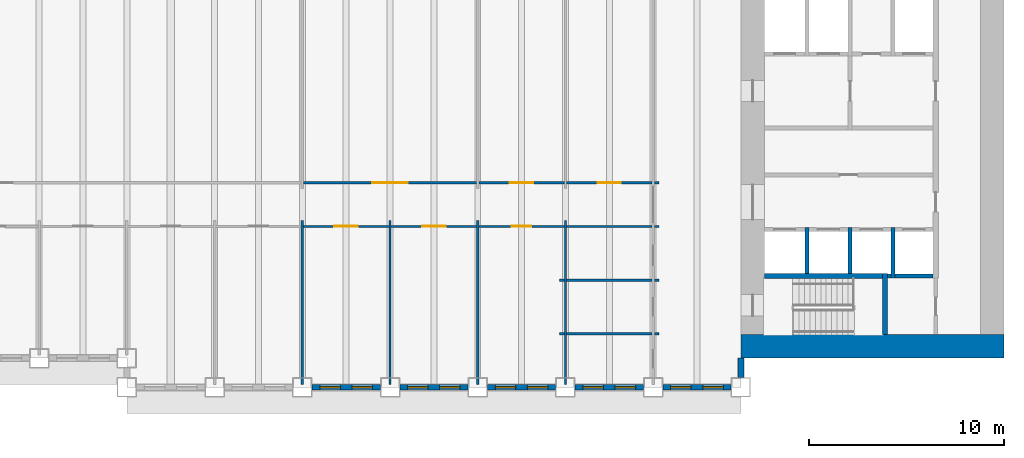
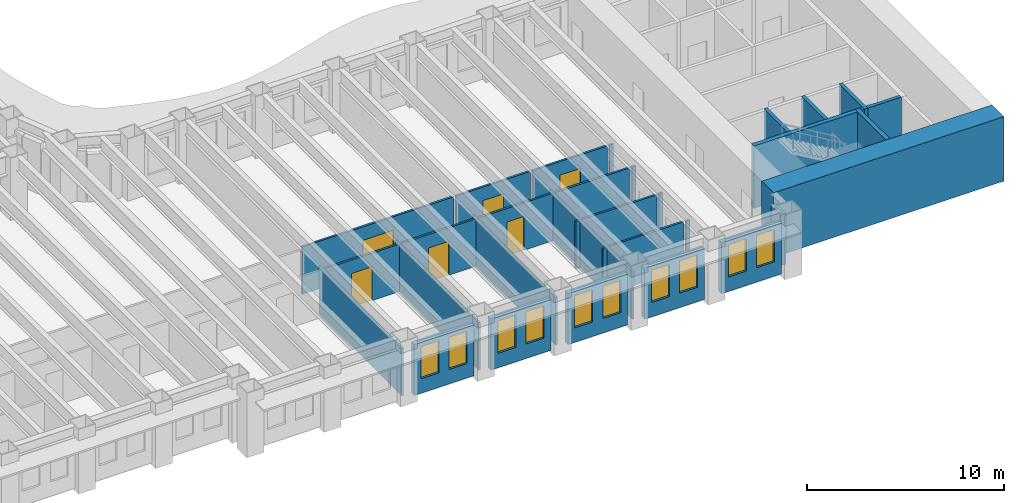
# One storey, part 5 of 16: 33 walls, 10 windows, 6 doors, 16 openings.
"""IFC4 building model written with IfcOpenShell, lengths in metres."""

from ifc_helpers import new_model, si_unit, direction, frame, frame_2d, origin, place, context, subcontext, project, spatial, rectangle, extrude, material, layer, layer_set, type_object, element, fill, save


model = new_model("IFC4")

# Units and contexts
model_context = context("Model", 3, precision=1e-05, world=origin(), true_north=direction((0.0, 1.0)))
body_context = subcontext(model_context, "Body", "Model", "MODEL_VIEW")
ifc_project = project(units=[si_unit("LENGTHUNIT", "METRE"), si_unit("AREAUNIT", "SQUARE_METRE"), si_unit("VOLUMEUNIT", "CUBIC_METRE"), si_unit("PLANEANGLEUNIT", "RADIAN"), si_unit("MASSUNIT", "GRAM", prefix="KILO")], contexts=[model_context])

# Site, building, storey
site_placement = place(None, origin())
site = spatial("IfcSite", under=ifc_project, at=site_placement, CompositionType="ELEMENT")
building_placement = place(site_placement, origin())
building = spatial("IfcBuilding", under=site, at=building_placement, Name="Sennacour Bend Tower", CompositionType="ELEMENT")
storey_placement = place(building_placement, frame((0.0, 0.0, 107.0)))
storey = spatial("IfcBuildingStorey", under=building, at=storey_placement, Name="L24", CompositionType="ELEMENT", Elevation=107.0)

# Walls
ifc_material_1 = material(Name="Concrete C80/95", Category="concrete")
ifc_layer_1 = layer(ifc_material_1, 1.199951171875, Name="Concrete C80/95", Category="concrete")
ifc_layer_set_1 = layer_set([ifc_layer_1], Name="Concrete C80/95")
wall_type_1 = type_object("IfcWallType", Name="Core wall 1200 C80/95", PredefinedType="SHEAR", material=ifc_layer_set_1)
wall_1_placement = place(storey_placement, frame((67.5, 0.60009765625, -0.14990234375), z_axis=(0.0, 0.0, 1.0), x_axis=(-1.0, 0.0, 0.0)))
element("IfcWall", 1, at=wall_1_placement, inside=storey, type_object=wall_type_1, Name="Core A wall L24 S", PredefinedType="SHEAR", context=body_context, shape_type="SweptSolid", body=[
    extrude(rectangle(XDim=13.5, YDim=1.199951171875, at=frame_2d((6.75, 0.0))), origin(), (0.0, 0.0, 1.0), 4.0),
])
ifc_material_2 = material(Name="Plasterboard partition on steel studs", Category="steel")
ifc_layer_2 = layer(ifc_material_2, 0.1201171875, Name="Plasterboard partition on steel studs", Category="steel")
ifc_layer_set_2 = layer_set([ifc_layer_2], Name="Plasterboard partition on steel studs")
wall_type_2 = type_object("IfcWallType", Name="Partition 120", PredefinedType="PARTITIONING", material=ifc_layer_set_2)
for number, where, z_axis, x_axis, name in (
    (2, (31.5, -1.35009765625, 0.0), (0.0, 0.0, 1.0), (0.0, 1.0, 0.0), "P-L24-W026a"),
    (3, (36.0, -1.35009765625, 0.0), (0.0, 0.0, 1.0), (0.0, 1.0, 0.0), "P-L24-W028a"),
    (4, (40.5, -1.35009765625, 0.0), (0.0, 0.0, 1.0), (0.0, 1.0, 0.0), "P-L24-W029a"),
    (5, (45.0, -1.35009765625, 0.0), (0.0, 0.0, 1.0), (0.0, 1.0, 0.0), "P-L24-W031a"),
):
    element("IfcWall", number, at=place(storey_placement, frame(where, z_axis=z_axis, x_axis=x_axis)), inside=storey, type_object=wall_type_2, Name=name, PredefinedType="PARTITIONING", context=body_context, shape_type="SweptSolid", body=[
        extrude(rectangle(XDim=8.400146484375, YDim=0.1201171875, at=frame_2d((4.2001953125, 0.0))), origin(), (0.0, 0.0, 1.0), 2.93798828125),
    ])
wall_2_placement = place(storey_placement, frame((44.699951171875, 1.25, 0.0), z_axis=(0.0, 0.0, 1.0), x_axis=(1.0, 0.0, 0.0)))
element("IfcWall", 6, at=wall_2_placement, inside=storey, type_object=wall_type_2, Name="P-L24-W048aa", PredefinedType="PARTITIONING", context=body_context, shape_type="SweptSolid", body=[
    extrude(rectangle(XDim=0.239990234375, YDim=0.1201171875, at=frame_2d((0.1201171875, 0.0))), origin(), (0.0, 0.0, 1.0), 2.93798828125),
])
wall_3_placement = place(storey_placement, frame((45.06005859375, 1.25, 0.0), z_axis=(0.0, 0.0, 1.0), x_axis=(1.0, 0.0, 0.0)))
element("IfcWall", 7, at=wall_3_placement, inside=storey, type_object=wall_type_2, Name="P-L24-W048ab", PredefinedType="PARTITIONING", context=body_context, shape_type="SweptSolid", body=[
    extrude(rectangle(XDim=4.3798828125, YDim=0.1201171875, at=frame_2d((2.18994140625, 0.0))), origin(), (0.0, 0.0, 1.0), 2.93798828125),
])
for number, where, z_axis, x_axis, name in (
    (8, (49.56005859375, 1.25, 0.0), (0.0, 0.0, 1.0), (1.0, 0.0, 0.0), "P-L24-W048ac"),
    (9, (44.699951171875, 4.0, 0.0), (0.0, 0.0, 1.0), (1.0, 0.0, 0.0), "P-L24-W052aa"),
):
    element("IfcWall", number, at=place(storey_placement, frame(where, z_axis=z_axis, x_axis=x_axis)), inside=storey, type_object=wall_type_2, Name=name, PredefinedType="PARTITIONING", context=body_context, shape_type="SweptSolid", body=[
        extrude(rectangle(XDim=0.239990234375, YDim=0.1201171875, at=frame_2d((0.1201171875, 0.0))), origin(), (0.0, 0.0, 1.0), 2.93798828125),
    ])
wall_4_placement = place(storey_placement, frame((45.06005859375, 4.0, 0.0), z_axis=(0.0, 0.0, 1.0), x_axis=(1.0, 0.0, 0.0)))
element("IfcWall", 10, at=wall_4_placement, inside=storey, type_object=wall_type_2, Name="P-L24-W052ab", PredefinedType="PARTITIONING", context=body_context, shape_type="SweptSolid", body=[
    extrude(rectangle(XDim=4.3798828125, YDim=0.1201171875, at=frame_2d((2.18994140625, 0.0))), origin(), (0.0, 0.0, 1.0), 2.93798828125),
])
wall_5_placement = place(storey_placement, frame((49.56005859375, 4.0, 0.0), z_axis=(0.0, 0.0, 1.0), x_axis=(1.0, 0.0, 0.0)))
element("IfcWall", 11, at=wall_5_placement, inside=storey, type_object=wall_type_2, Name="P-L24-W052ac", PredefinedType="PARTITIONING", context=body_context, shape_type="SweptSolid", body=[
    extrude(rectangle(XDim=0.239990234375, YDim=0.1201171875, at=frame_2d((0.1201171875, 0.0))), origin(), (0.0, 0.0, 1.0), 2.93798828125),
])

# Wall, opening, door
wall_6_placement = place(storey_placement, frame((31.56005859375, 6.75, 0.0), z_axis=(0.0, 0.0, 1.0), x_axis=(1.0, 0.0, 0.0)))
wall_6 = element("IfcWall", 12, at=wall_6_placement, inside=storey, type_object=wall_type_2, Name="P-L24-W056af", PredefinedType="PARTITIONING", context=body_context, shape_type="SweptSolid", body=[
    extrude(rectangle(XDim=4.3798828125, YDim=0.1201171875, at=frame_2d((2.18994140625, 0.0))), origin(), (0.0, 0.0, 1.0), 2.93798828125),
])
opening_1_placement = place(wall_6_placement, frame((1.58984375, 0.0, 0.0)))
opening_1 = element("IfcOpeningElement", 13, at=opening_1_placement, cuts=wall_6, Name="Opening OD", PredefinedType="OPENING", context=body_context, shape_type="SweptSolid", body=[
    extrude(rectangle(XDim=1.199951171875, YDim=2.10009765625, at=frame_2d((0.60009765625, 1.050048828125))), frame((0.0, 0.070068359375, 0.0), z_axis=(0.0, -1.0, 0.0), x_axis=(1.0, 0.0, 0.0)), (0.0, 0.0, 1.0), 0.14013671875),
])
ifc_material_3 = material(Name="Timber", Category="wood")
door_type_1 = type_object("IfcDoorType", Name="DR-OFFICE-1200", OperationType="NOTDEFINED", PredefinedType="DOOR", material=ifc_material_3)
door_1_placement = place(opening_1_placement, origin())
door_1 = element("IfcDoor", 14, at=door_1_placement, inside=storey, type_object=door_type_1, Name="Door", OperationType="SINGLE_SWING_LEFT", OverallHeight=2.10009765625, OverallWidth=1.199951171875, PredefinedType="DOOR", context=body_context, shape_type="SweptSolid", body=[
    extrude(rectangle(XDim=1.199951171875, YDim=2.10009765625, at=frame_2d((0.60009765625, 1.050048828125))), frame((0.0, 0.02490234375, 0.0), z_axis=(0.0, -1.0, 0.0), x_axis=(1.0, 0.0, 0.0)), (0.0, 0.0, 1.0), 0.050048828125),
])
fill(opening_1, door_1)

wall_7_placement = place(storey_placement, frame((36.06005859375, 6.75, 0.0), z_axis=(0.0, 0.0, 1.0), x_axis=(1.0, 0.0, 0.0)))
wall_7 = element("IfcWall", 15, at=wall_7_placement, inside=storey, type_object=wall_type_2, Name="P-L24-W056ag", PredefinedType="PARTITIONING", context=body_context, shape_type="SweptSolid", body=[
    extrude(rectangle(XDim=4.3798828125, YDim=0.1201171875, at=frame_2d((2.18994140625, 0.0))), origin(), (0.0, 0.0, 1.0), 2.93798828125),
])
opening_2_placement = place(wall_7_placement, frame((1.58984375, 0.0, 0.0)))
opening_2 = element("IfcOpeningElement", 16, at=opening_2_placement, cuts=wall_7, Name="Opening OD", PredefinedType="OPENING", context=body_context, shape_type="SweptSolid", body=[
    extrude(rectangle(XDim=1.199951171875, YDim=2.10009765625, at=frame_2d((0.60009765625, 1.050048828125))), frame((0.0, 0.070068359375, 0.0), z_axis=(0.0, -1.0, 0.0), x_axis=(1.0, 0.0, 0.0)), (0.0, 0.0, 1.0), 0.14013671875),
])
door_2_placement = place(opening_2_placement, origin())
door_2 = element("IfcDoor", 17, at=door_2_placement, inside=storey, type_object=door_type_1, Name="Door", OperationType="SINGLE_SWING_LEFT", OverallHeight=2.10009765625, OverallWidth=1.199951171875, PredefinedType="DOOR", context=body_context, shape_type="SweptSolid", body=[
    extrude(rectangle(XDim=1.199951171875, YDim=2.10009765625, at=frame_2d((0.60009765625, 1.050048828125))), frame((0.0, 0.02490234375, 0.0), z_axis=(0.0, -1.0, 0.0), x_axis=(1.0, 0.0, 0.0)), (0.0, 0.0, 1.0), 0.050048828125),
])
fill(opening_2, door_2)

wall_8_placement = place(storey_placement, frame((40.56005859375, 6.75, 0.0), z_axis=(0.0, 0.0, 1.0), x_axis=(1.0, 0.0, 0.0)))
wall_8 = element("IfcWall", 18, at=wall_8_placement, inside=storey, type_object=wall_type_2, Name="P-L24-W056ah", PredefinedType="PARTITIONING", context=body_context, shape_type="SweptSolid", body=[
    extrude(rectangle(XDim=4.3798828125, YDim=0.1201171875, at=frame_2d((2.18994140625, 0.0))), origin(), (0.0, 0.0, 1.0), 2.93798828125),
])
opening_3_placement = place(wall_8_placement, frame((1.68994140625, 0.0, 0.0)))
opening_3 = element("IfcOpeningElement", 19, at=opening_3_placement, cuts=wall_8, Name="Opening OD2", PredefinedType="OPENING", context=body_context, shape_type="SweptSolid", body=[
    extrude(rectangle(XDim=1.0, YDim=2.10009765625, at=frame_2d((0.5, 1.050048828125))), frame((0.0, 0.070068359375, 0.0), z_axis=(0.0, -1.0, 0.0), x_axis=(1.0, 0.0, 0.0)), (0.0, 0.0, 1.0), 0.14013671875),
])
door_type_2 = type_object("IfcDoorType", Name="DR-OFFICE-1000", OperationType="NOTDEFINED", PredefinedType="DOOR", material=ifc_material_3)
door_3_placement = place(opening_3_placement, origin())
door_3 = element("IfcDoor", 20, at=door_3_placement, inside=storey, type_object=door_type_2, Name="Door", OperationType="SINGLE_SWING_LEFT", OverallHeight=2.10009765625, OverallWidth=1.0, PredefinedType="DOOR", context=body_context, shape_type="SweptSolid", body=[
    extrude(rectangle(XDim=1.0, YDim=2.10009765625, at=frame_2d((0.5, 1.050048828125))), frame((0.0, 0.02490234375, 0.0), z_axis=(0.0, -1.0, 0.0), x_axis=(1.0, 0.0, 0.0)), (0.0, 0.0, 1.0), 0.050048828125),
])
fill(opening_3, door_3)

# Walls
wall_9_placement = place(storey_placement, frame((45.06005859375, 6.75, 0.0), z_axis=(0.0, 0.0, 1.0), x_axis=(1.0, 0.0, 0.0)))
element("IfcWall", 21, at=wall_9_placement, inside=storey, type_object=wall_type_2, Name="P-L24-W056ai", PredefinedType="PARTITIONING", context=body_context, shape_type="SweptSolid", body=[
    extrude(rectangle(XDim=4.3798828125, YDim=0.1201171875, at=frame_2d((2.18994140625, 0.0))), origin(), (0.0, 0.0, 1.0), 2.93798828125),
])
wall_10_placement = place(storey_placement, frame((49.56005859375, 6.75, 0.0), z_axis=(0.0, 0.0, 1.0), x_axis=(1.0, 0.0, 0.0)))
element("IfcWall", 22, at=wall_10_placement, inside=storey, type_object=wall_type_2, Name="P-L24-W056aj", PredefinedType="PARTITIONING", context=body_context, shape_type="SweptSolid", body=[
    extrude(rectangle(XDim=0.239990234375, YDim=0.1201171875, at=frame_2d((0.1201171875, 0.0))), origin(), (0.0, 0.0, 1.0), 2.93798828125),
])

# Wall, opening, door
wall_11_placement = place(storey_placement, frame((31.56005859375, 9.0, 0.0), z_axis=(0.0, 0.0, 1.0), x_axis=(1.0, 0.0, 0.0)))
wall_11 = element("IfcWall", 23, at=wall_11_placement, inside=storey, type_object=wall_type_2, Name="P-L24-W057ad", PredefinedType="PARTITIONING", context=body_context, shape_type="SweptSolid", body=[
    extrude(rectangle(XDim=8.8798828125, YDim=0.1201171875, at=frame_2d((4.43994140625, 0.0))), origin(), (0.0, 0.0, 1.0), 2.93798828125),
])
opening_4_placement = place(wall_11_placement, frame((3.539794921875, 0.0, 0.0)))
opening_4 = element("IfcOpeningElement", 24, at=opening_4_placement, cuts=wall_11, Name="Opening OD3", PredefinedType="OPENING", context=body_context, shape_type="SweptSolid", body=[
    extrude(rectangle(XDim=1.800048828125, YDim=2.10009765625, at=frame_2d((0.89990234375, 1.050048828125))), frame((0.0, 0.070068359375, 0.0), z_axis=(0.0, -1.0, 0.0), x_axis=(1.0, 0.0, 0.0)), (0.0, 0.0, 1.0), 0.14013671875),
])
door_type_3 = type_object("IfcDoorType", Name="DR-OFFICE-1800", OperationType="NOTDEFINED", PredefinedType="DOOR", material=ifc_material_3)
door_4_placement = place(opening_4_placement, origin())
door_4 = element("IfcDoor", 25, at=door_4_placement, inside=storey, type_object=door_type_3, Name="Door", OperationType="DOUBLE_DOOR_SINGLE_SWING", OverallHeight=2.10009765625, OverallWidth=1.800048828125, PredefinedType="DOOR", context=body_context, shape_type="SweptSolid", body=[
    extrude(rectangle(XDim=1.800048828125, YDim=2.10009765625, at=frame_2d((0.89990234375, 1.050048828125))), frame((0.0, 0.02490234375, 0.0), z_axis=(0.0, -1.0, 0.0), x_axis=(1.0, 0.0, 0.0)), (0.0, 0.0, 1.0), 0.050048828125),
])
fill(opening_4, door_4)

wall_12_placement = place(storey_placement, frame((40.56005859375, 9.0, 0.0), z_axis=(0.0, 0.0, 1.0), x_axis=(1.0, 0.0, 0.0)))
wall_12 = element("IfcWall", 26, at=wall_12_placement, inside=storey, type_object=wall_type_2, Name="P-L24-W057ae", PredefinedType="PARTITIONING", context=body_context, shape_type="SweptSolid", body=[
    extrude(rectangle(XDim=4.3798828125, YDim=0.1201171875, at=frame_2d((2.18994140625, 0.0))), origin(), (0.0, 0.0, 1.0), 2.93798828125),
])
opening_5_placement = place(wall_12_placement, frame((1.58984375, 0.0, 0.0)))
opening_5 = element("IfcOpeningElement", 27, at=opening_5_placement, cuts=wall_12, Name="Opening OD", PredefinedType="OPENING", context=body_context, shape_type="SweptSolid", body=[
    extrude(rectangle(XDim=1.199951171875, YDim=2.10009765625, at=frame_2d((0.60009765625, 1.050048828125))), frame((0.0, 0.070068359375, 0.0), z_axis=(0.0, -1.0, 0.0), x_axis=(1.0, 0.0, 0.0)), (0.0, 0.0, 1.0), 0.14013671875),
])
door_5_placement = place(opening_5_placement, origin())
door_5 = element("IfcDoor", 28, at=door_5_placement, inside=storey, type_object=door_type_1, Name="Door", OperationType="SINGLE_SWING_LEFT", OverallHeight=2.10009765625, OverallWidth=1.199951171875, PredefinedType="DOOR", context=body_context, shape_type="SweptSolid", body=[
    extrude(rectangle(XDim=1.199951171875, YDim=2.10009765625, at=frame_2d((0.60009765625, 1.050048828125))), frame((0.0, 0.02490234375, 0.0), z_axis=(0.0, -1.0, 0.0), x_axis=(1.0, 0.0, 0.0)), (0.0, 0.0, 1.0), 0.050048828125),
])
fill(opening_5, door_5)

wall_13_placement = place(storey_placement, frame((45.06005859375, 9.0, 0.0), z_axis=(0.0, 0.0, 1.0), x_axis=(1.0, 0.0, 0.0)))
wall_13 = element("IfcWall", 29, at=wall_13_placement, inside=storey, type_object=wall_type_2, Name="P-L24-W057af", PredefinedType="PARTITIONING", context=body_context, shape_type="SweptSolid", body=[
    extrude(rectangle(XDim=4.3798828125, YDim=0.1201171875, at=frame_2d((2.18994140625, 0.0))), origin(), (0.0, 0.0, 1.0), 2.93798828125),
])
opening_6_placement = place(wall_13_placement, frame((1.58984375, 0.0, 0.0)))
opening_6 = element("IfcOpeningElement", 30, at=opening_6_placement, cuts=wall_13, Name="Opening OD", PredefinedType="OPENING", context=body_context, shape_type="SweptSolid", body=[
    extrude(rectangle(XDim=1.199951171875, YDim=2.10009765625, at=frame_2d((0.60009765625, 1.050048828125))), frame((0.0, 0.070068359375, 0.0), z_axis=(0.0, -1.0, 0.0), x_axis=(1.0, 0.0, 0.0)), (0.0, 0.0, 1.0), 0.14013671875),
])
door_6_placement = place(opening_6_placement, origin())
door_6 = element("IfcDoor", 31, at=door_6_placement, inside=storey, type_object=door_type_1, Name="Door", OperationType="SINGLE_SWING_LEFT", OverallHeight=2.10009765625, OverallWidth=1.199951171875, PredefinedType="DOOR", context=body_context, shape_type="SweptSolid", body=[
    extrude(rectangle(XDim=1.199951171875, YDim=2.10009765625, at=frame_2d((0.60009765625, 1.050048828125))), frame((0.0, 0.02490234375, 0.0), z_axis=(0.0, -1.0, 0.0), x_axis=(1.0, 0.0, 0.0)), (0.0, 0.0, 1.0), 0.050048828125),
])
fill(opening_6, door_6)

# Wall
wall_14_placement = place(storey_placement, frame((49.56005859375, 9.0, 0.0), z_axis=(0.0, 0.0, 1.0), x_axis=(1.0, 0.0, 0.0)))
element("IfcWall", 32, at=wall_14_placement, inside=storey, type_object=wall_type_2, Name="P-L24-W057ag", PredefinedType="PARTITIONING", context=body_context, shape_type="SweptSolid", body=[
    extrude(rectangle(XDim=0.239990234375, YDim=0.1201171875, at=frame_2d((0.1201171875, 0.0))), origin(), (0.0, 0.0, 1.0), 2.93798828125),
])

# Wall, openings, windows
ifc_material_4 = material(Name="Warm limestone cladding", Category="masonry")
ifc_layer_3 = layer(ifc_material_4, 0.050048828125, Name="Warm limestone cladding", Category="masonry")
ifc_material_5 = material(Name="Precast concrete C40/50", Category="concrete")
ifc_layer_4 = layer(ifc_material_5, 0.25, Name="Precast concrete C40/50", Category="concrete")
ifc_layer_set_3 = layer_set([ifc_layer_3, ifc_layer_4], Name="Precast concrete C40/50 with limestone cladding")
wall_type_3 = type_object("IfcWallType", Name="STONE-CLAD PRECAST SPANDREL 300", PredefinedType="STANDARD", material=ifc_layer_set_3)
wall_15_placement = place(storey_placement, frame((32.0, -1.5, 0.0), z_axis=(0.0, 0.0, 1.0), x_axis=(1.0, 0.0, 0.0)))
wall_15 = element("IfcWall", 33, at=wall_15_placement, inside=storey, type_object=wall_type_3, Name="Stone spandrel and pier wall L24 00.02", PredefinedType="STANDARD", context=body_context, shape_type="SweptSolid", body=[
    extrude(rectangle(XDim=3.5, YDim=0.300048828125, at=frame_2d((1.75, 0.0))), origin(), (0.0, 0.0, 1.0), 3.154052734375),
])
opening_7_placement = place(wall_15_placement, frame((0.39990234375, 0.0, 0.89990234375)))
opening_7 = element("IfcOpeningElement", 34, at=opening_7_placement, cuts=wall_15, Name="Opening W13", PredefinedType="OPENING", context=body_context, shape_type="SweptSolid", body=[
    extrude(rectangle(XDim=1.050048828125, YDim=2.0, at=frame_2d((0.52490234375, 1.0))), frame((0.0, 0.16015625, 0.0), z_axis=(0.0, -1.0, 0.0), x_axis=(1.0, 0.0, 0.0)), (0.0, 0.0, 1.0), 0.320068359375),
])
opening_8_placement = place(wall_15_placement, frame((2.050048828125, 0.0, 0.89990234375)))
opening_8 = element("IfcOpeningElement", 35, at=opening_8_placement, cuts=wall_15, Name="Opening W13", PredefinedType="OPENING", context=body_context, shape_type="SweptSolid", body=[
    extrude(rectangle(XDim=1.050048828125, YDim=2.0, at=frame_2d((0.52490234375, 1.0))), frame((0.0, 0.16015625, 0.0), z_axis=(0.0, -1.0, 0.0), x_axis=(1.0, 0.0, 0.0)), (0.0, 0.0, 1.0), 0.320068359375),
])
ifc_material_6 = material(Name="Clear low-emissivity glass", Category="glass")
window_type = type_object("IfcWindowType", Name="WIN-RIBBON-1050x2000", PartitioningType="SINGLE_PANEL", PredefinedType="WINDOW", material=ifc_material_6)
window_1_placement = place(opening_7_placement, origin())
window_1 = element("IfcWindow", 36, at=window_1_placement, inside=storey, type_object=window_type, Name="Ribbon window L24 00.02.0", OverallHeight=2.0, OverallWidth=1.050048828125, PartitioningType="SINGLE_PANEL", PredefinedType="WINDOW", context=body_context, shape_type="SweptSolid", body=[
    extrude(rectangle(XDim=1.050048828125, YDim=2.0, at=frame_2d((0.52490234375, 1.0))), frame((0.0, 0.030029296875, 0.0), z_axis=(0.0, -1.0, 0.0), x_axis=(1.0, 0.0, 0.0)), (0.0, 0.0, 1.0), 0.06005859375),
])
fill(opening_7, window_1)
window_2_placement = place(opening_8_placement, origin())
window_2 = element("IfcWindow", 37, at=window_2_placement, inside=storey, type_object=window_type, Name="Ribbon window L24 00.02.1", OverallHeight=2.0, OverallWidth=1.050048828125, PartitioningType="SINGLE_PANEL", PredefinedType="WINDOW", context=body_context, shape_type="SweptSolid", body=[
    extrude(rectangle(XDim=1.050048828125, YDim=2.0, at=frame_2d((0.52490234375, 1.0))), frame((0.0, 0.030029296875, 0.0), z_axis=(0.0, -1.0, 0.0), x_axis=(1.0, 0.0, 0.0)), (0.0, 0.0, 1.0), 0.06005859375),
])
fill(opening_8, window_2)

wall_16_placement = place(storey_placement, frame((36.5, -1.5, 0.0), z_axis=(0.0, 0.0, 1.0), x_axis=(1.0, 0.0, 0.0)))
wall_16 = element("IfcWall", 38, at=wall_16_placement, inside=storey, type_object=wall_type_3, Name="Stone spandrel and pier wall L24 00.03", PredefinedType="STANDARD", context=body_context, shape_type="SweptSolid", body=[
    extrude(rectangle(XDim=3.5, YDim=0.300048828125, at=frame_2d((1.75, 0.0))), origin(), (0.0, 0.0, 1.0), 3.154052734375),
])
opening_9_placement = place(wall_16_placement, frame((0.39990234375, 0.0, 0.89990234375)))
opening_9 = element("IfcOpeningElement", 39, at=opening_9_placement, cuts=wall_16, Name="Opening W13", PredefinedType="OPENING", context=body_context, shape_type="SweptSolid", body=[
    extrude(rectangle(XDim=1.050048828125, YDim=2.0, at=frame_2d((0.52490234375, 1.0))), frame((0.0, 0.16015625, 0.0), z_axis=(0.0, -1.0, 0.0), x_axis=(1.0, 0.0, 0.0)), (0.0, 0.0, 1.0), 0.320068359375),
])
opening_10_placement = place(wall_16_placement, frame((2.050048828125, 0.0, 0.89990234375)))
opening_10 = element("IfcOpeningElement", 40, at=opening_10_placement, cuts=wall_16, Name="Opening W13", PredefinedType="OPENING", context=body_context, shape_type="SweptSolid", body=[
    extrude(rectangle(XDim=1.050048828125, YDim=2.0, at=frame_2d((0.52490234375, 1.0))), frame((0.0, 0.16015625, 0.0), z_axis=(0.0, -1.0, 0.0), x_axis=(1.0, 0.0, 0.0)), (0.0, 0.0, 1.0), 0.320068359375),
])
window_3_placement = place(opening_9_placement, origin())
window_3 = element("IfcWindow", 41, at=window_3_placement, inside=storey, type_object=window_type, Name="Ribbon window L24 00.03.0", OverallHeight=2.0, OverallWidth=1.050048828125, PartitioningType="SINGLE_PANEL", PredefinedType="WINDOW", context=body_context, shape_type="SweptSolid", body=[
    extrude(rectangle(XDim=1.050048828125, YDim=2.0, at=frame_2d((0.52490234375, 1.0))), frame((0.0, 0.030029296875, 0.0), z_axis=(0.0, -1.0, 0.0), x_axis=(1.0, 0.0, 0.0)), (0.0, 0.0, 1.0), 0.06005859375),
])
fill(opening_9, window_3)
window_4_placement = place(opening_10_placement, origin())
window_4 = element("IfcWindow", 42, at=window_4_placement, inside=storey, type_object=window_type, Name="Ribbon window L24 00.03.1", OverallHeight=2.0, OverallWidth=1.050048828125, PartitioningType="SINGLE_PANEL", PredefinedType="WINDOW", context=body_context, shape_type="SweptSolid", body=[
    extrude(rectangle(XDim=1.050048828125, YDim=2.0, at=frame_2d((0.52490234375, 1.0))), frame((0.0, 0.030029296875, 0.0), z_axis=(0.0, -1.0, 0.0), x_axis=(1.0, 0.0, 0.0)), (0.0, 0.0, 1.0), 0.06005859375),
])
fill(opening_10, window_4)

wall_17_placement = place(storey_placement, frame((41.0, -1.5, 0.0), z_axis=(0.0, 0.0, 1.0), x_axis=(1.0, 0.0, 0.0)))
wall_17 = element("IfcWall", 43, at=wall_17_placement, inside=storey, type_object=wall_type_3, Name="Stone spandrel and pier wall L24 00.04", PredefinedType="STANDARD", context=body_context, shape_type="SweptSolid", body=[
    extrude(rectangle(XDim=3.5, YDim=0.300048828125, at=frame_2d((1.75, 0.0))), origin(), (0.0, 0.0, 1.0), 3.154052734375),
])
opening_11_placement = place(wall_17_placement, frame((0.39990234375, 0.0, 0.89990234375)))
opening_11 = element("IfcOpeningElement", 44, at=opening_11_placement, cuts=wall_17, Name="Opening W13", PredefinedType="OPENING", context=body_context, shape_type="SweptSolid", body=[
    extrude(rectangle(XDim=1.050048828125, YDim=2.0, at=frame_2d((0.52490234375, 1.0))), frame((0.0, 0.16015625, 0.0), z_axis=(0.0, -1.0, 0.0), x_axis=(1.0, 0.0, 0.0)), (0.0, 0.0, 1.0), 0.320068359375),
])
opening_12_placement = place(wall_17_placement, frame((2.050048828125, 0.0, 0.89990234375)))
opening_12 = element("IfcOpeningElement", 45, at=opening_12_placement, cuts=wall_17, Name="Opening W13", PredefinedType="OPENING", context=body_context, shape_type="SweptSolid", body=[
    extrude(rectangle(XDim=1.050048828125, YDim=2.0, at=frame_2d((0.52490234375, 1.0))), frame((0.0, 0.16015625, 0.0), z_axis=(0.0, -1.0, 0.0), x_axis=(1.0, 0.0, 0.0)), (0.0, 0.0, 1.0), 0.320068359375),
])
window_5_placement = place(opening_11_placement, origin())
window_5 = element("IfcWindow", 46, at=window_5_placement, inside=storey, type_object=window_type, Name="Ribbon window L24 00.04.0", OverallHeight=2.0, OverallWidth=1.050048828125, PartitioningType="SINGLE_PANEL", PredefinedType="WINDOW", context=body_context, shape_type="SweptSolid", body=[
    extrude(rectangle(XDim=1.050048828125, YDim=2.0, at=frame_2d((0.52490234375, 1.0))), frame((0.0, 0.030029296875, 0.0), z_axis=(0.0, -1.0, 0.0), x_axis=(1.0, 0.0, 0.0)), (0.0, 0.0, 1.0), 0.06005859375),
])
fill(opening_11, window_5)
window_6_placement = place(opening_12_placement, origin())
window_6 = element("IfcWindow", 47, at=window_6_placement, inside=storey, type_object=window_type, Name="Ribbon window L24 00.04.1", OverallHeight=2.0, OverallWidth=1.050048828125, PartitioningType="SINGLE_PANEL", PredefinedType="WINDOW", context=body_context, shape_type="SweptSolid", body=[
    extrude(rectangle(XDim=1.050048828125, YDim=2.0, at=frame_2d((0.52490234375, 1.0))), frame((0.0, 0.030029296875, 0.0), z_axis=(0.0, -1.0, 0.0), x_axis=(1.0, 0.0, 0.0)), (0.0, 0.0, 1.0), 0.06005859375),
])
fill(opening_12, window_6)

wall_18_placement = place(storey_placement, frame((45.5, -1.5, 0.0), z_axis=(0.0, 0.0, 1.0), x_axis=(1.0, 0.0, 0.0)))
wall_18 = element("IfcWall", 48, at=wall_18_placement, inside=storey, type_object=wall_type_3, Name="Stone spandrel and pier wall L24 00.05", PredefinedType="STANDARD", context=body_context, shape_type="SweptSolid", body=[
    extrude(rectangle(XDim=3.5, YDim=0.300048828125, at=frame_2d((1.75, 0.0))), origin(), (0.0, 0.0, 1.0), 3.154052734375),
])
opening_13_placement = place(wall_18_placement, frame((0.39990234375, 0.0, 0.89990234375)))
opening_13 = element("IfcOpeningElement", 49, at=opening_13_placement, cuts=wall_18, Name="Opening W13", PredefinedType="OPENING", context=body_context, shape_type="SweptSolid", body=[
    extrude(rectangle(XDim=1.050048828125, YDim=2.0, at=frame_2d((0.52490234375, 1.0))), frame((0.0, 0.16015625, 0.0), z_axis=(0.0, -1.0, 0.0), x_axis=(1.0, 0.0, 0.0)), (0.0, 0.0, 1.0), 0.320068359375),
])
opening_14_placement = place(wall_18_placement, frame((2.050048828125, 0.0, 0.89990234375)))
opening_14 = element("IfcOpeningElement", 50, at=opening_14_placement, cuts=wall_18, Name="Opening W13", PredefinedType="OPENING", context=body_context, shape_type="SweptSolid", body=[
    extrude(rectangle(XDim=1.050048828125, YDim=2.0, at=frame_2d((0.52490234375, 1.0))), frame((0.0, 0.16015625, 0.0), z_axis=(0.0, -1.0, 0.0), x_axis=(1.0, 0.0, 0.0)), (0.0, 0.0, 1.0), 0.320068359375),
])
window_7_placement = place(opening_13_placement, origin())
window_7 = element("IfcWindow", 51, at=window_7_placement, inside=storey, type_object=window_type, Name="Ribbon window L24 00.05.0", OverallHeight=2.0, OverallWidth=1.050048828125, PartitioningType="SINGLE_PANEL", PredefinedType="WINDOW", context=body_context, shape_type="SweptSolid", body=[
    extrude(rectangle(XDim=1.050048828125, YDim=2.0, at=frame_2d((0.52490234375, 1.0))), frame((0.0, 0.030029296875, 0.0), z_axis=(0.0, -1.0, 0.0), x_axis=(1.0, 0.0, 0.0)), (0.0, 0.0, 1.0), 0.06005859375),
])
fill(opening_13, window_7)
window_8_placement = place(opening_14_placement, origin())
window_8 = element("IfcWindow", 52, at=window_8_placement, inside=storey, type_object=window_type, Name="Ribbon window L24 00.05.1", OverallHeight=2.0, OverallWidth=1.050048828125, PartitioningType="SINGLE_PANEL", PredefinedType="WINDOW", context=body_context, shape_type="SweptSolid", body=[
    extrude(rectangle(XDim=1.050048828125, YDim=2.0, at=frame_2d((0.52490234375, 1.0))), frame((0.0, 0.030029296875, 0.0), z_axis=(0.0, -1.0, 0.0), x_axis=(1.0, 0.0, 0.0)), (0.0, 0.0, 1.0), 0.06005859375),
])
fill(opening_14, window_8)

wall_19_placement = place(storey_placement, frame((50.0, -1.5, 0.0), z_axis=(0.0, 0.0, 1.0), x_axis=(1.0, 0.0, 0.0)))
wall_19 = element("IfcWall", 53, at=wall_19_placement, inside=storey, type_object=wall_type_3, Name="Stone spandrel and pier wall L24 00.06", PredefinedType="STANDARD", context=body_context, shape_type="SweptSolid", body=[
    extrude(rectangle(XDim=3.5, YDim=0.300048828125, at=frame_2d((1.75, 0.0))), origin(), (0.0, 0.0, 1.0), 3.154052734375),
])
opening_15_placement = place(wall_19_placement, frame((0.39990234375, 0.0, 0.89990234375)))
opening_15 = element("IfcOpeningElement", 54, at=opening_15_placement, cuts=wall_19, Name="Opening W13", PredefinedType="OPENING", context=body_context, shape_type="SweptSolid", body=[
    extrude(rectangle(XDim=1.050048828125, YDim=2.0, at=frame_2d((0.52490234375, 1.0))), frame((0.0, 0.16015625, 0.0), z_axis=(0.0, -1.0, 0.0), x_axis=(1.0, 0.0, 0.0)), (0.0, 0.0, 1.0), 0.320068359375),
])
opening_16_placement = place(wall_19_placement, frame((2.050048828125, 0.0, 0.89990234375)))
opening_16 = element("IfcOpeningElement", 55, at=opening_16_placement, cuts=wall_19, Name="Opening W13", PredefinedType="OPENING", context=body_context, shape_type="SweptSolid", body=[
    extrude(rectangle(XDim=1.050048828125, YDim=2.0, at=frame_2d((0.52490234375, 1.0))), frame((0.0, 0.16015625, 0.0), z_axis=(0.0, -1.0, 0.0), x_axis=(1.0, 0.0, 0.0)), (0.0, 0.0, 1.0), 0.320068359375),
])
window_9_placement = place(opening_15_placement, origin())
window_9 = element("IfcWindow", 56, at=window_9_placement, inside=storey, type_object=window_type, Name="Ribbon window L24 00.06.0", OverallHeight=2.0, OverallWidth=1.050048828125, PartitioningType="SINGLE_PANEL", PredefinedType="WINDOW", context=body_context, shape_type="SweptSolid", body=[
    extrude(rectangle(XDim=1.050048828125, YDim=2.0, at=frame_2d((0.52490234375, 1.0))), frame((0.0, 0.030029296875, 0.0), z_axis=(0.0, -1.0, 0.0), x_axis=(1.0, 0.0, 0.0)), (0.0, 0.0, 1.0), 0.06005859375),
])
fill(opening_15, window_9)
window_10_placement = place(opening_16_placement, origin())
window_10 = element("IfcWindow", 57, at=window_10_placement, inside=storey, type_object=window_type, Name="Ribbon window L24 00.06.1", OverallHeight=2.0, OverallWidth=1.050048828125, PartitioningType="SINGLE_PANEL", PredefinedType="WINDOW", context=body_context, shape_type="SweptSolid", body=[
    extrude(rectangle(XDim=1.050048828125, YDim=2.0, at=frame_2d((0.52490234375, 1.0))), frame((0.0, 0.030029296875, 0.0), z_axis=(0.0, -1.0, 0.0), x_axis=(1.0, 0.0, 0.0)), (0.0, 0.0, 1.0), 0.06005859375),
])
fill(opening_16, window_10)

# Walls
wall_20_placement = place(storey_placement, frame((54.0, -1.0, 0.0), z_axis=(0.0, 0.0, 1.0), x_axis=(0.0, 1.0, 0.0)))
element("IfcWall", 58, at=wall_20_placement, inside=storey, type_object=wall_type_3, Name="Stone spandrel and pier wall L24 01.00", PredefinedType="STANDARD", context=body_context, shape_type="SweptSolid", body=[
    extrude(rectangle(XDim=1.0, YDim=0.300048828125, at=frame_2d((0.5, 0.0))), origin(), (0.0, 0.0, 1.0), 3.154052734375),
])
ifc_material_7 = material(Name="Concrete C50/60", Category="concrete")
ifc_layer_5 = layer(ifc_material_7, 0.199951171875, Name="Concrete C50/60", Category="concrete")
ifc_layer_set_4 = layer_set([ifc_layer_5], Name="Concrete C50/60")
wall_type_4 = type_object("IfcWallType", Name="Shaft wall 200", PredefinedType="SOLIDWALL", material=ifc_layer_set_4)
for number, where, z_axis, x_axis, name in (
    (59, (57.39990234375, 4.324951171875, 0.0), (0.0, 0.0, 1.0), (0.0, 1.0, 0.0), "P-L24-W035"),
    (60, (59.60009765625, 4.324951171875, 0.0), (0.0, 0.0, 1.0), (0.0, 1.0, 0.0), "P-L24-W037"),
):
    element("IfcWall", number, at=place(storey_placement, frame(where, z_axis=z_axis, x_axis=x_axis)), inside=storey, type_object=wall_type_4, Name=name, PredefinedType="SOLIDWALL", context=body_context, shape_type="SweptSolid", body=[
        extrude(rectangle(XDim=2.375, YDim=0.199951171875, at=frame_2d((1.1875, 0.0))), origin(), (0.0, 0.0, 1.0), 3.85009765625),
    ])
wall_21_placement = place(storey_placement, frame((61.800048828125, 4.10009765625, 0.0), z_axis=(0.0, 0.0, 1.0), x_axis=(0.0, 1.0, 0.0)))
element("IfcWall", 61, at=wall_21_placement, inside=storey, type_object=wall_type_4, Name="P-L24-W042", PredefinedType="SOLIDWALL", context=body_context, shape_type="SweptSolid", body=[
    extrude(rectangle(XDim=2.599853515625, YDim=0.199951171875, at=frame_2d((1.2998046875, 0.0))), origin(), (0.0, 0.0, 1.0), 3.85009765625),
])
wall_22_placement = place(storey_placement, frame((61.52490234375, 4.199951171875, 0.0), z_axis=(0.0, 0.0, 1.0), x_axis=(1.0, 0.0, 0.0)))
element("IfcWall", 62, at=wall_22_placement, inside=storey, type_object=wall_type_4, Name="P-L24-W054a", PredefinedType="SOLIDWALL", context=body_context, shape_type="SweptSolid", body=[
    extrude(rectangle(XDim=0.175048828125, YDim=0.199951171875, at=frame_2d((0.08740234375, 0.0))), origin(), (0.0, 0.0, 1.0), 3.85009765625),
])
wall_23_placement = place(storey_placement, frame((61.89990234375, 4.199951171875, 0.0), z_axis=(0.0, 0.0, 1.0), x_axis=(1.0, 0.0, 0.0)))
element("IfcWall", 63, at=wall_23_placement, inside=storey, type_object=wall_type_4, Name="P-L24-W054b", PredefinedType="SOLIDWALL", context=body_context, shape_type="SweptSolid", body=[
    extrude(rectangle(XDim=1.9501953125, YDim=0.199951171875, at=frame_2d((0.97509765625, 0.0))), origin(), (0.0, 0.0, 1.0), 3.85009765625),
])
ifc_material_8 = material(Name="Concrete C60/75", Category="concrete")
ifc_layer_6 = layer(ifc_material_8, 0.25, Name="Concrete C60/75", Category="concrete")
ifc_layer_set_5 = layer_set([ifc_layer_6], Name="Concrete C60/75")
wall_type_5 = type_object("IfcWallType", Name="Stair wall 250", PredefinedType="SHEAR", material=ifc_layer_set_5)
wall_24_placement = place(storey_placement, frame((61.39990234375, 1.199951171875, 0.0), z_axis=(0.0, 0.0, 1.0), x_axis=(0.0, 1.0, 0.0)))
element("IfcWall", 64, at=wall_24_placement, inside=storey, type_object=wall_type_5, Name="P-L24-W040", PredefinedType="SHEAR", context=body_context, shape_type="SweptSolid", body=[
    extrude(rectangle(XDim=3.125, YDim=0.25, at=frame_2d((1.5625, 0.0))), origin(), (0.0, 0.0, 1.0), 3.85009765625),
])
wall_25_placement = place(storey_placement, frame((55.199951171875, 4.199951171875, 0.0), z_axis=(0.0, 0.0, 1.0), x_axis=(1.0, 0.0, 0.0)))
element("IfcWall", 65, at=wall_25_placement, inside=storey, type_object=wall_type_5, Name="P-L24-W053", PredefinedType="SHEAR", context=body_context, shape_type="SweptSolid", body=[
    extrude(rectangle(XDim=6.074951171875, YDim=0.25, at=frame_2d((3.03759765625, 0.0))), origin(), (0.0, 0.0, 1.0), 3.85009765625),
])

save(model, "model.ifc")
